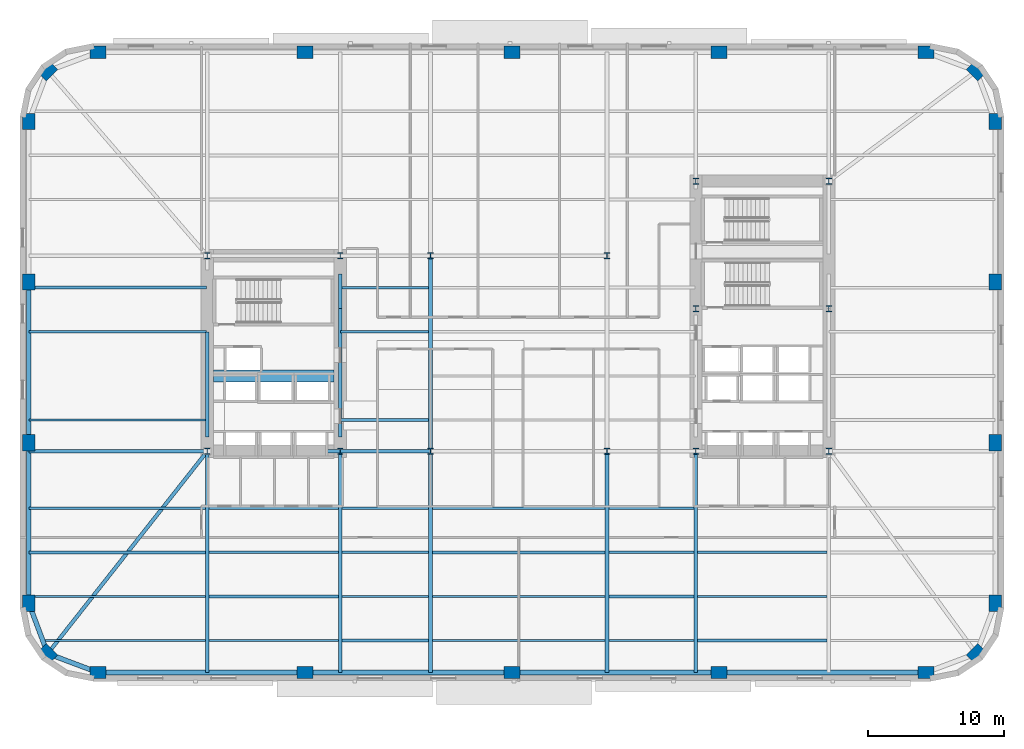
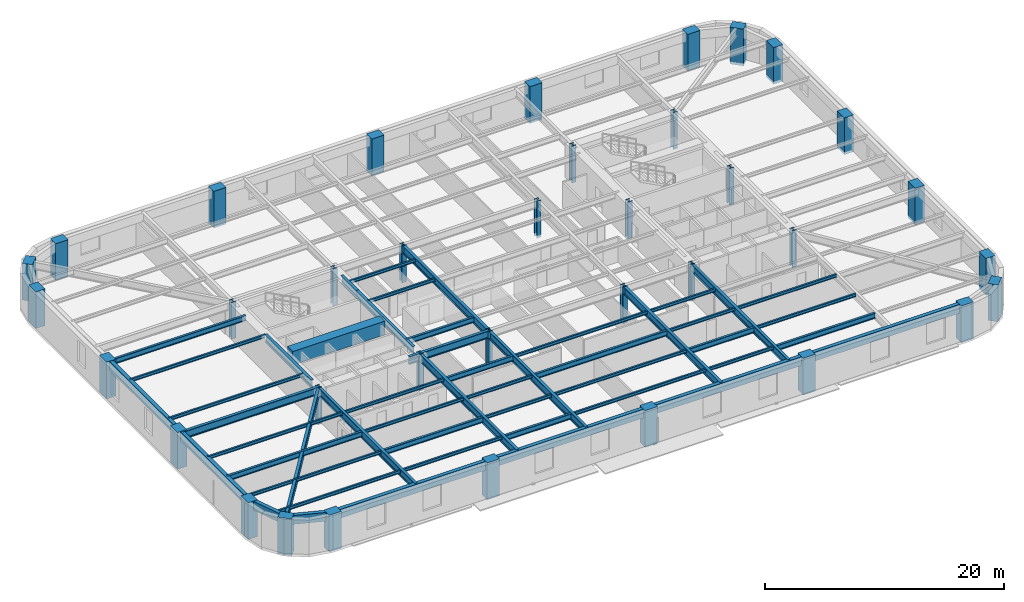
# One storey, part 1 of 14: 50 beams, 36 columns.
"""IFC4 building model written with IfcOpenShell, lengths in metres."""

from ifc_helpers import new_model, si_unit, direction, frame, origin, origin_2d, place, context, subcontext, project, spatial, rectangle, hollow_rectangle, i_section, extrude, material, material_profile, profile_set, type_object, element, save


model = new_model("IFC4")

# Units and contexts
model_context = context("Model", 3, precision=1e-05, world=origin(), true_north=direction((0.0, 1.0)))
body_context = subcontext(model_context, "Body", "Model", "MODEL_VIEW")
ifc_project = project(units=[si_unit("LENGTHUNIT", "METRE"), si_unit("AREAUNIT", "SQUARE_METRE"), si_unit("VOLUMEUNIT", "CUBIC_METRE"), si_unit("PLANEANGLEUNIT", "RADIAN"), si_unit("MASSUNIT", "GRAM", prefix="KILO")], contexts=[model_context])

# Site, building, storey
site_placement = place(None, origin())
site = spatial("IfcSite", under=ifc_project, at=site_placement, CompositionType="ELEMENT")
building_placement = place(site_placement, origin())
building = spatial("IfcBuilding", under=site, at=building_placement, Name="Kolvaren Arena Tower", CompositionType="ELEMENT")
storey_placement = place(building_placement, frame((0.0, 0.0, 87.0)))
storey = spatial("IfcBuildingStorey", under=building, at=storey_placement, Name="L19", CompositionType="ELEMENT", Elevation=87.0)

# Columns
ifc_material_1 = material(Name="Precast concrete C70/85", Category="concrete")
ifc_material_profile_1 = material_profile(ifc_material_1, rectangle(XDim=1.199951171875, YDim=0.89990234375, at=origin_2d()), Name="RC-1200x900")
ifc_profile_set_1 = profile_set([ifc_material_profile_1], Name="Precast concrete C70/85")
column_type_1 = type_object("IfcColumnType", Name="EXCOL-Z1", PredefinedType="COLUMN", material=ifc_profile_set_1)
for number, where, z_axis, x_axis, name in (
    (1, (6.5, 3.14990234375, -0.27001953125), (0.0, 0.0, 1.0), (1.0, 0.0, 0.0), "Exoskeleton Perimeter Column 01 (L19)"),
    (2, (21.75, 3.14990234375, -0.27001953125), (0.0, 0.0, 1.0), (1.0, 0.0, 0.0), "Exoskeleton Perimeter Column 02 (L19)"),
    (3, (37.0, 3.14990234375, -0.27001953125), (0.0, 0.0, 1.0), (1.0, 0.0, 0.0), "Exoskeleton Perimeter Column 03 (L19)"),
    (4, (52.25, 3.14990234375, -0.27001953125), (0.0, 0.0, 1.0), (1.0, 0.0, 0.0), "Exoskeleton Perimeter Column 04 (L19)"),
    (5, (67.5, 3.14990234375, -0.27001953125), (0.0, 0.0, 1.0), (1.0, 0.0, 0.0), "Exoskeleton Perimeter Column 05 (L19)"),
    (6, (71.208740234375, 4.541259765625, -0.27001953125), (0.0, 0.0, 1.0), (0.707106781187, 0.707106781187, 0.0), "Exoskeleton Perimeter Column 06 (L19)"),
    (7, (72.60009765625, 8.25, -0.27001953125), (0.0, 0.0, 1.0), (0.0, 1.0, 0.0), "Exoskeleton Perimeter Column 07 (L19)"),
    (8, (72.60009765625, 20.083251953125, -0.27001953125), (0.0, 0.0, 1.0), (0.0, 1.0, 0.0), "Exoskeleton Perimeter Column 08 (L19)"),
    (9, (72.60009765625, 31.916748046875, -0.27001953125), (0.0, 0.0, 1.0), (0.0, 1.0, 0.0), "Exoskeleton Perimeter Column 09 (L19)"),
    (10, (72.60009765625, 43.75, -0.27001953125), (0.0, 0.0, 1.0), (0.0, 1.0, 0.0), "Exoskeleton Perimeter Column 10 (L19)"),
    (11, (71.208740234375, 47.458740234375, -0.27001953125), (0.0, 0.0, 1.0), (-0.707106781187, 0.707106781187, 0.0), "Exoskeleton Perimeter Column 11 (L19)"),
    (12, (67.5, 48.85009765625, -0.27001953125), (0.0, 0.0, 1.0), (1.0, 0.0, 0.0), "Exoskeleton Perimeter Column 12 (L19)"),
    (13, (52.25, 48.85009765625, -0.27001953125), (0.0, 0.0, 1.0), (1.0, 0.0, 0.0), "Exoskeleton Perimeter Column 13 (L19)"),
    (14, (37.0, 48.85009765625, -0.27001953125), (0.0, 0.0, 1.0), (1.0, 0.0, 0.0), "Exoskeleton Perimeter Column 14 (L19)"),
    (15, (21.75, 48.85009765625, -0.27001953125), (0.0, 0.0, 1.0), (1.0, 0.0, 0.0), "Exoskeleton Perimeter Column 15 (L19)"),
    (16, (6.5, 48.85009765625, -0.27001953125), (0.0, 0.0, 1.0), (1.0, 0.0, 0.0), "Exoskeleton Perimeter Column 16 (L19)"),
    (17, (2.791259765625, 47.458740234375, -0.27001953125), (0.0, 0.0, 1.0), (0.707106781187, 0.707106781187, 0.0), "Exoskeleton Perimeter Column 17 (L19)"),
    (18, (1.39990234375, 43.75, -0.27001953125), (0.0, 0.0, 1.0), (0.0, 1.0, 0.0), "Exoskeleton Perimeter Column 18 (L19)"),
    (19, (1.39990234375, 31.916748046875, -0.27001953125), (0.0, 0.0, 1.0), (0.0, 1.0, 0.0), "Exoskeleton Perimeter Column 19 (L19)"),
    (20, (1.39990234375, 20.083251953125, -0.27001953125), (0.0, 0.0, 1.0), (0.0, 1.0, 0.0), "Exoskeleton Perimeter Column 20 (L19)"),
    (21, (1.39990234375, 8.25, -0.27001953125), (0.0, 0.0, 1.0), (0.0, 1.0, 0.0), "Exoskeleton Perimeter Column 21 (L19)"),
    (22, (2.791259765625, 4.541259765625, -0.27001953125), (0.0, 0.0, 1.0), (-0.707106781187, 0.707106781187, 0.0), "Exoskeleton Perimeter Column 22 (L19)"),
):
    element("IfcColumn", number, at=place(storey_placement, frame(where, z_axis=z_axis, x_axis=x_axis)), inside=storey, type_object=column_type_1, Name=name, PredefinedType="COLUMN", context=body_context, shape_type="SweptSolid", body=[
        extrude(rectangle(XDim=1.199951171875, YDim=0.89990234375, at=origin_2d()), origin(), (0.0, 0.0, 1.0), 3.75),
    ])
ifc_material_2 = material(Name="Steel ASTM A913 Grade 65", Category="steel")
ifc_material_profile_2 = material_profile(ifc_material_2, i_section(OverallWidth=0.424072265625, OverallDepth=0.47412109375, WebThickness=0.047607421875, FlangeThickness=0.076904296875, FilletRadius=0.02001953125, at=origin_2d()), Name="W360x634")
ifc_profile_set_2 = profile_set([ifc_material_profile_2], Name="Steel ASTM A913 Grade 65")
column_type_2 = type_object("IfcColumnType", Name="SCOL-Z1", PredefinedType="COLUMN", material=ifc_profile_set_2)
for number, where, z_axis, x_axis, name in (
    (23, (14.550048828125, 19.449951171875, -0.27001953125), (0.0, 0.0, 1.0), (1.0, 0.0, 0.0), "Core Boundary Column WC-SW (L19)"),
    (24, (24.35009765625, 19.449951171875, -0.27001953125), (0.0, 0.0, 1.0), (1.0, 0.0, 0.0), "Core Boundary Column WC-SE (L19)"),
    (25, (14.550048828125, 33.85009765625, -0.27001953125), (0.0, 0.0, 1.0), (1.0, 0.0, 0.0), "Core Boundary Column WC-NW (L19)"),
    (26, (24.35009765625, 33.85009765625, -0.27001953125), (0.0, 0.0, 1.0), (1.0, 0.0, 0.0), "Core Boundary Column WC-NE (L19)"),
    (27, (50.550048828125, 19.449951171875, -0.27001953125), (0.0, 0.0, 1.0), (1.0, 0.0, 0.0), "Core Boundary Column EC-SW (L19)"),
    (28, (60.35009765625, 19.449951171875, -0.27001953125), (0.0, 0.0, 1.0), (1.0, 0.0, 0.0), "Core Boundary Column EC-SE (L19)"),
    (29, (50.550048828125, 29.949951171875, -0.27001953125), (0.0, 0.0, 1.0), (1.0, 0.0, 0.0), "Core Boundary Column EC-MW (L19)"),
    (30, (60.35009765625, 29.949951171875, -0.27001953125), (0.0, 0.0, 1.0), (1.0, 0.0, 0.0), "Core Boundary Column EC-ME (L19)"),
    (31, (50.550048828125, 39.35009765625, -0.27001953125), (0.0, 0.0, 1.0), (1.0, 0.0, 0.0), "Core Boundary Column EC-NW (L19)"),
    (32, (60.35009765625, 39.35009765625, -0.27001953125), (0.0, 0.0, 1.0), (1.0, 0.0, 0.0), "Core Boundary Column EC-NE (L19)"),
    (33, (31.0, 19.449951171875, -0.27001953125), (0.0, 0.0, 1.0), (1.0, 0.0, 0.0), "Interior Gravity Column TC-SW (L19)"),
    (34, (44.0, 19.449951171875, -0.27001953125), (0.0, 0.0, 1.0), (1.0, 0.0, 0.0), "Interior Gravity Column TC-SE (L19)"),
    (35, (31.0, 33.85009765625, -0.27001953125), (0.0, 0.0, 1.0), (1.0, 0.0, 0.0), "Interior Gravity Column TC-NW (L19)"),
    (36, (44.0, 33.85009765625, -0.27001953125), (0.0, 0.0, 1.0), (1.0, 0.0, 0.0), "Interior Gravity Column TC-NE (L19)"),
):
    element("IfcColumn", number, at=place(storey_placement, frame(where, z_axis=z_axis, x_axis=x_axis)), inside=storey, type_object=column_type_2, Name=name, PredefinedType="COLUMN", context=body_context, shape_type="SweptSolid", body=[
        extrude(i_section(OverallWidth=0.424072265625, OverallDepth=0.47412109375, WebThickness=0.047607421875, FlangeThickness=0.076904296875, FilletRadius=0.02001953125, at=origin_2d()), origin(), (0.0, 0.0, 1.0), 3.75),
    ])

# Beams
ifc_material_3 = material(Name="Steel CSA G40.21 350W", Category="steel")
ifc_material_profile_3 = material_profile(ifc_material_3, i_section(OverallWidth=0.2119140625, OverallDepth=0.54296875, WebThickness=0.01318359375, FlangeThickness=0.0244140625, FilletRadius=0.013916015625, at=origin_2d()), Name="W530x150")
ifc_profile_set_3 = profile_set([ifc_material_profile_3], Name="Steel CSA G40.21 350W")
beam_type_1 = type_object("IfcBeamType", Name="BEAM-F1", PredefinedType="BEAM", material=ifc_profile_set_3)
beam_1_placement = place(storey_placement, frame((24.485107421875, 5.5, 3.20849609375), z_axis=(1.0, 0.0, 0.0), x_axis=(0.0, 1.0, 0.0)))
element("IfcBeam", 37, at=beam_1_placement, inside=storey, type_object=beam_type_1, Name="Composite Floor Beam (L19)", PredefinedType="BEAM", context=body_context, shape_type="SweptSolid", body=[
    extrude(i_section(OverallWidth=0.2119140625, OverallDepth=0.54296875, WebThickness=0.01318359375, FlangeThickness=0.0244140625, FilletRadius=0.013916015625, at=origin_2d()), origin(), (0.0, 0.0, 1.0), 6.3798828125),
])
for number, where, z_axis, x_axis, name in (
    (38, (50.68505859375, 5.5, 3.20849609375), (1.0, 0.0, 0.0), (0.0, 1.0, 0.0), "Composite Floor Beam (L19)"),
    (39, (14.68505859375, 8.75, 3.20849609375), (1.0, 0.0, 0.0), (0.0, 1.0, 0.0), "Composite Floor Beam (L19)"),
):
    element("IfcBeam", number, at=place(storey_placement, frame(where, z_axis=z_axis, x_axis=x_axis)), inside=storey, type_object=beam_type_1, Name=name, PredefinedType="BEAM", context=body_context, shape_type="SweptSolid", body=[
        extrude(i_section(OverallWidth=0.2119140625, OverallDepth=0.54296875, WebThickness=0.01318359375, FlangeThickness=0.0244140625, FilletRadius=0.013916015625, at=origin_2d()), origin(), (0.0, 0.0, 1.0), 9.530029296875),
    ])
beam_2_placement = place(storey_placement, frame((44.135009765625, 8.75, 3.20849609375), z_axis=(1.0, 0.0, 0.0), x_axis=(0.0, 1.0, 0.0)))
element("IfcBeam", 40, at=beam_2_placement, inside=storey, type_object=beam_type_1, Name="Composite Floor Beam (L19)", PredefinedType="BEAM", context=body_context, shape_type="SweptSolid", body=[
    extrude(i_section(OverallWidth=0.2119140625, OverallDepth=0.54296875, WebThickness=0.01318359375, FlangeThickness=0.0244140625, FilletRadius=0.013916015625, at=origin_2d()), origin(), (0.0, 0.0, 1.0), 6.280029296875),
])
beam_3_placement = place(storey_placement, frame((1.39990234375, 12.0, 3.20849609375), z_axis=(1.0, 0.0, 0.0), x_axis=(0.0, 1.0, 0.0)))
element("IfcBeam", 41, at=beam_3_placement, inside=storey, type_object=beam_type_1, Name="Composite Floor Beam (L19)", PredefinedType="BEAM", context=body_context, shape_type="SweptSolid", body=[
    extrude(i_section(OverallWidth=0.2119140625, OverallDepth=0.54296875, WebThickness=0.01318359375, FlangeThickness=0.0244140625, FilletRadius=0.013916015625, at=origin_2d()), origin(), (0.0, 0.0, 1.0), 13.01513671875),
])
beam_4_placement = place(storey_placement, frame((31.135009765625, 12.0, 3.20849609375), z_axis=(1.0, 0.0, 0.0), x_axis=(0.0, 1.0, 0.0)))
element("IfcBeam", 42, at=beam_4_placement, inside=storey, type_object=beam_type_1, Name="Composite Floor Beam (L19)", PredefinedType="BEAM", context=body_context, shape_type="SweptSolid", body=[
    extrude(i_section(OverallWidth=0.2119140625, OverallDepth=0.54296875, WebThickness=0.01318359375, FlangeThickness=0.0244140625, FilletRadius=0.013916015625, at=origin_2d()), origin(), (0.0, 0.0, 1.0), 12.72998046875),
])
beam_5_placement = place(storey_placement, frame((24.485107421875, 15.25, 3.20849609375), z_axis=(1.0, 0.0, 0.0), x_axis=(0.0, 1.0, 0.0)))
element("IfcBeam", 43, at=beam_5_placement, inside=storey, type_object=beam_type_1, Name="Composite Floor Beam (L19)", PredefinedType="BEAM", context=body_context, shape_type="SweptSolid", body=[
    extrude(i_section(OverallWidth=0.2119140625, OverallDepth=0.54296875, WebThickness=0.01318359375, FlangeThickness=0.0244140625, FilletRadius=0.013916015625, at=origin_2d()), origin(), (0.0, 0.0, 1.0), 6.3798828125),
])
beam_6_placement = place(storey_placement, frame((24.3701171875, 21.75, 3.20849609375), z_axis=(1.0, 0.0, 0.0), x_axis=(0.0, 1.0, 0.0)))
element("IfcBeam", 44, at=beam_6_placement, inside=storey, type_object=beam_type_1, Name="Composite Floor Beam (L19)", PredefinedType="BEAM", context=body_context, shape_type="SweptSolid", body=[
    extrude(i_section(OverallWidth=0.2119140625, OverallDepth=0.54296875, WebThickness=0.01318359375, FlangeThickness=0.0244140625, FilletRadius=0.013916015625, at=origin_2d()), origin(), (0.0, 0.0, 1.0), 6.494873046875),
])
beam_7_placement = place(storey_placement, frame((1.39990234375, 31.5, 3.20849609375), z_axis=(1.0, 0.0, 0.0), x_axis=(0.0, 1.0, 0.0)))
element("IfcBeam", 45, at=beam_7_placement, inside=storey, type_object=beam_type_1, Name="Composite Floor Beam (L19)", PredefinedType="BEAM", context=body_context, shape_type="SweptSolid", body=[
    extrude(i_section(OverallWidth=0.2119140625, OverallDepth=0.54296875, WebThickness=0.01318359375, FlangeThickness=0.0244140625, FilletRadius=0.013916015625, at=origin_2d()), origin(), (0.0, 0.0, 1.0), 13.080078125),
])
ifc_material_4 = material(Name="Concrete 75 MPa", Category="concrete")
ifc_material_profile_4 = material_profile(ifc_material_4, rectangle(XDim=0.89990234375, YDim=1.39990234375, at=origin_2d()), Name="RC-900x1400")
ifc_profile_set_4 = profile_set([ifc_material_profile_4], Name="Concrete 75 MPa")
beam_type_2 = type_object("IfcBeamType", Name="CB-CORE-1", PredefinedType="BEAM", material=ifc_profile_set_4)
beam_8_placement = place(storey_placement, frame((15.0, 25.0, 3.050048828125), z_axis=(1.0, 0.0, 0.0), x_axis=(0.0, 1.0, 0.0)))
element("IfcBeam", 46, at=beam_8_placement, inside=storey, type_object=beam_type_2, Name="West Core Coupling Beam (L19)", PredefinedType="BEAM", context=body_context, shape_type="SweptSolid", body=[
    extrude(rectangle(XDim=0.89990234375, YDim=1.39990234375, at=origin_2d()), origin(), (0.0, 0.0, 1.0), 8.89990234375),
])
ifc_material_profile_5 = material_profile(ifc_material_3, i_section(OverallWidth=0.27001953125, OverallDepth=0.77294921875, WebThickness=0.019287109375, FlangeThickness=0.033447265625, FilletRadius=0.01806640625, at=origin_2d()), Name="W760x257")
ifc_profile_set_5 = profile_set([ifc_material_profile_5], Name="Steel CSA G40.21 350W")
beam_type_3 = type_object("IfcBeamType", Name="GIRD-T1", PredefinedType="BEAM", material=ifc_profile_set_5)
beam_9_placement = place(storey_placement, frame((2.791259765625, 4.541259765625, 3.093505859375), z_axis=(0.61927986086, 0.785170334343, 0.0), x_axis=(-0.785170334343, 0.61927986086, 0.0)))
element("IfcBeam", 47, at=beam_9_placement, inside=storey, type_object=beam_type_3, Name="Corner Diagonal Tie Girder (L19)", PredefinedType="BEAM", context=body_context, shape_type="SweptSolid", body=[
    extrude(i_section(OverallWidth=0.27001953125, OverallDepth=0.77294921875, WebThickness=0.019287109375, FlangeThickness=0.033447265625, FilletRadius=0.01806640625, at=origin_2d()), origin(), (0.0, 0.0, 1.0), 18.98779296875),
])
beam_10_placement = place(storey_placement, frame((1.39990234375, 19.449951171875, 3.093505859375), z_axis=(1.0, 0.0, 0.0), x_axis=(0.0, 1.0, 0.0)))
element("IfcBeam", 48, at=beam_10_placement, inside=storey, type_object=beam_type_3, Name="Primary Floor Girder (L19)", PredefinedType="BEAM", context=body_context, shape_type="SweptSolid", body=[
    extrude(i_section(OverallWidth=0.27001953125, OverallDepth=0.77294921875, WebThickness=0.019287109375, FlangeThickness=0.033447265625, FilletRadius=0.01806640625, at=origin_2d()), origin(), (0.0, 0.0, 1.0), 13.150146484375),
])
beam_11_placement = place(storey_placement, frame((23.2451171875, 19.449951171875, 3.093505859375), z_axis=(1.0, 0.0, 0.0), x_axis=(0.0, 1.0, 0.0)))
element("IfcBeam", 49, at=beam_11_placement, inside=storey, type_object=beam_type_3, Name="Primary Floor Girder (L19)", PredefinedType="BEAM", context=body_context, shape_type="SweptSolid", body=[
    extrude(i_section(OverallWidth=0.27001953125, OverallDepth=0.77294921875, WebThickness=0.019287109375, FlangeThickness=0.033447265625, FilletRadius=0.01806640625, at=origin_2d()), origin(), (0.0, 0.0, 1.0), 7.7548828125),
])
beam_12_placement = place(storey_placement, frame((14.550048828125, 3.14990234375, 3.093505859375), z_axis=(0.0, 1.0, 0.0), x_axis=(-1.0, 0.0, 0.0)))
element("IfcBeam", 50, at=beam_12_placement, inside=storey, type_object=beam_type_3, Name="Primary Floor Girder (L19)", PredefinedType="BEAM", context=body_context, shape_type="SweptSolid", body=[
    extrude(i_section(OverallWidth=0.27001953125, OverallDepth=0.77294921875, WebThickness=0.019287109375, FlangeThickness=0.033447265625, FilletRadius=0.01806640625, at=origin_2d()), origin(), (0.0, 0.0, 1.0), 16.300048828125),
])
beam_13_placement = place(storey_placement, frame((14.550048828125, 20.5, 3.093505859375), z_axis=(0.0, 1.0, 0.0), x_axis=(-1.0, 0.0, 0.0)))
element("IfcBeam", 51, at=beam_13_placement, inside=storey, type_object=beam_type_3, Name="Primary Floor Girder (L19)", PredefinedType="BEAM", context=body_context, shape_type="SweptSolid", body=[
    extrude(i_section(OverallWidth=0.27001953125, OverallDepth=0.77294921875, WebThickness=0.019287109375, FlangeThickness=0.033447265625, FilletRadius=0.01806640625, at=origin_2d()), origin(), (0.0, 0.0, 1.0), 7.739990234375),
])
beam_14_placement = place(storey_placement, frame((24.35009765625, 3.14990234375, 3.093505859375), z_axis=(0.0, 1.0, 0.0), x_axis=(-1.0, 0.0, 0.0)))
element("IfcBeam", 52, at=beam_14_placement, inside=storey, type_object=beam_type_3, Name="Primary Floor Girder (L19)", PredefinedType="BEAM", context=body_context, shape_type="SweptSolid", body=[
    extrude(i_section(OverallWidth=0.27001953125, OverallDepth=0.77294921875, WebThickness=0.019287109375, FlangeThickness=0.033447265625, FilletRadius=0.01806640625, at=origin_2d()), origin(), (0.0, 0.0, 1.0), 16.300048828125),
])
beam_15_placement = place(storey_placement, frame((24.35009765625, 20.5, 3.093505859375), z_axis=(0.0, 1.0, 0.0), x_axis=(-1.0, 0.0, 0.0)))
element("IfcBeam", 53, at=beam_15_placement, inside=storey, type_object=beam_type_3, Name="Primary Floor Girder (L19)", PredefinedType="BEAM", context=body_context, shape_type="SweptSolid", body=[
    extrude(i_section(OverallWidth=0.27001953125, OverallDepth=0.77294921875, WebThickness=0.019287109375, FlangeThickness=0.033447265625, FilletRadius=0.01806640625, at=origin_2d()), origin(), (0.0, 0.0, 1.0), 9.449951171875),
])
beam_16_placement = place(storey_placement, frame((24.35009765625, 29.949951171875, 3.093505859375), z_axis=(0.0, 1.0, 0.0), x_axis=(-1.0, 0.0, 0.0)))
element("IfcBeam", 54, at=beam_16_placement, inside=storey, type_object=beam_type_3, Name="Primary Floor Girder (L19)", PredefinedType="BEAM", context=body_context, shape_type="SweptSolid", body=[
    extrude(i_section(OverallWidth=0.27001953125, OverallDepth=0.77294921875, WebThickness=0.019287109375, FlangeThickness=0.033447265625, FilletRadius=0.01806640625, at=origin_2d()), origin(), (0.0, 0.0, 1.0), 2.550048828125),
])
beam_17_placement = place(storey_placement, frame((31.0, 3.14990234375, 3.093505859375), z_axis=(0.0, 1.0, 0.0), x_axis=(-1.0, 0.0, 0.0)))
element("IfcBeam", 55, at=beam_17_placement, inside=storey, type_object=beam_type_3, Name="Primary Floor Girder (L19)", PredefinedType="BEAM", context=body_context, shape_type="SweptSolid", body=[
    extrude(i_section(OverallWidth=0.27001953125, OverallDepth=0.77294921875, WebThickness=0.019287109375, FlangeThickness=0.033447265625, FilletRadius=0.01806640625, at=origin_2d()), origin(), (0.0, 0.0, 1.0), 16.300048828125),
])
beam_18_placement = place(storey_placement, frame((31.0, 19.449951171875, 3.093505859375), z_axis=(0.0, 1.0, 0.0), x_axis=(-1.0, 0.0, 0.0)))
element("IfcBeam", 56, at=beam_18_placement, inside=storey, type_object=beam_type_3, Name="Primary Floor Girder (L19)", PredefinedType="BEAM", context=body_context, shape_type="SweptSolid", body=[
    extrude(i_section(OverallWidth=0.27001953125, OverallDepth=0.77294921875, WebThickness=0.019287109375, FlangeThickness=0.033447265625, FilletRadius=0.01806640625, at=origin_2d()), origin(), (0.0, 0.0, 1.0), 14.400146484375),
])
for number, where, z_axis, x_axis, name in (
    (57, (44.0, 3.14990234375, 3.093505859375), (0.0, 1.0, 0.0), (-1.0, 0.0, 0.0), "Primary Floor Girder (L19)"),
    (58, (50.550048828125, 3.14990234375, 3.093505859375), (0.0, 1.0, 0.0), (-1.0, 0.0, 0.0), "Primary Floor Girder (L19)"),
):
    element("IfcBeam", number, at=place(storey_placement, frame(where, z_axis=z_axis, x_axis=x_axis)), inside=storey, type_object=beam_type_3, Name=name, PredefinedType="BEAM", context=body_context, shape_type="SweptSolid", body=[
        extrude(i_section(OverallWidth=0.27001953125, OverallDepth=0.77294921875, WebThickness=0.019287109375, FlangeThickness=0.033447265625, FilletRadius=0.01806640625, at=origin_2d()), origin(), (0.0, 0.0, 1.0), 16.300048828125),
    ])
ifc_material_profile_6 = material_profile(ifc_material_3, i_section(OverallWidth=0.1669921875, OverallDepth=0.31689453125, WebThickness=0.007568359375, FlangeThickness=0.01318359375, FilletRadius=0.010009765625, at=origin_2d()), Name="W310x52")
ifc_profile_set_6 = profile_set([ifc_material_profile_6], Name="Steel CSA G40.21 350W")
beam_type_4 = type_object("IfcBeamType", Name="JOIST-02", PredefinedType="JOIST", material=ifc_profile_set_6)
beam_19_placement = place(storey_placement, frame((2.431396484375, 5.5, 3.321533203125), z_axis=(1.0, 0.0, 0.0), x_axis=(0.0, 1.0, 0.0)))
element("IfcBeam", 59, at=beam_19_placement, inside=storey, type_object=beam_type_4, Name="Composite Floor Joist (L19)", PredefinedType="JOIST", context=body_context, shape_type="SweptSolid", body=[
    extrude(i_section(OverallWidth=0.1669921875, OverallDepth=0.31689453125, WebThickness=0.007568359375, FlangeThickness=0.01318359375, FilletRadius=0.010009765625, at=origin_2d()), origin(), (0.0, 0.0, 1.0), 11.983642578125),
])
beam_20_placement = place(storey_placement, frame((14.68505859375, 5.5, 3.321533203125), z_axis=(1.0, 0.0, 0.0), x_axis=(0.0, 1.0, 0.0)))
element("IfcBeam", 60, at=beam_20_placement, inside=storey, type_object=beam_type_4, Name="Composite Floor Joist (L19)", PredefinedType="JOIST", context=body_context, shape_type="SweptSolid", body=[
    extrude(i_section(OverallWidth=0.1669921875, OverallDepth=0.31689453125, WebThickness=0.007568359375, FlangeThickness=0.01318359375, FilletRadius=0.010009765625, at=origin_2d()), origin(), (0.0, 0.0, 1.0), 9.530029296875),
])
beam_21_placement = place(storey_placement, frame((31.135009765625, 5.5, 3.321533203125), z_axis=(1.0, 0.0, 0.0), x_axis=(0.0, 1.0, 0.0)))
element("IfcBeam", 61, at=beam_21_placement, inside=storey, type_object=beam_type_4, Name="Composite Floor Joist (L19)", PredefinedType="JOIST", context=body_context, shape_type="SweptSolid", body=[
    extrude(i_section(OverallWidth=0.1669921875, OverallDepth=0.31689453125, WebThickness=0.007568359375, FlangeThickness=0.01318359375, FilletRadius=0.010009765625, at=origin_2d()), origin(), (0.0, 0.0, 1.0), 12.72998046875),
])
beam_22_placement = place(storey_placement, frame((44.135009765625, 5.5, 3.321533203125), z_axis=(1.0, 0.0, 0.0), x_axis=(0.0, 1.0, 0.0)))
element("IfcBeam", 62, at=beam_22_placement, inside=storey, type_object=beam_type_4, Name="Composite Floor Joist (L19)", PredefinedType="JOIST", context=body_context, shape_type="SweptSolid", body=[
    extrude(i_section(OverallWidth=0.1669921875, OverallDepth=0.31689453125, WebThickness=0.007568359375, FlangeThickness=0.01318359375, FilletRadius=0.010009765625, at=origin_2d()), origin(), (0.0, 0.0, 1.0), 6.280029296875),
])
beam_23_placement = place(storey_placement, frame((1.39990234375, 8.75, 3.321533203125), z_axis=(1.0, 0.0, 0.0), x_axis=(0.0, 1.0, 0.0)))
element("IfcBeam", 63, at=beam_23_placement, inside=storey, type_object=beam_type_4, Name="Composite Floor Joist (L19)", PredefinedType="JOIST", context=body_context, shape_type="SweptSolid", body=[
    extrude(i_section(OverallWidth=0.1669921875, OverallDepth=0.31689453125, WebThickness=0.007568359375, FlangeThickness=0.01318359375, FilletRadius=0.010009765625, at=origin_2d()), origin(), (0.0, 0.0, 1.0), 13.01513671875),
])
beam_24_placement = place(storey_placement, frame((24.485107421875, 8.75, 3.321533203125), z_axis=(1.0, 0.0, 0.0), x_axis=(0.0, 1.0, 0.0)))
element("IfcBeam", 64, at=beam_24_placement, inside=storey, type_object=beam_type_4, Name="Composite Floor Joist (L19)", PredefinedType="JOIST", context=body_context, shape_type="SweptSolid", body=[
    extrude(i_section(OverallWidth=0.1669921875, OverallDepth=0.31689453125, WebThickness=0.007568359375, FlangeThickness=0.01318359375, FilletRadius=0.010009765625, at=origin_2d()), origin(), (0.0, 0.0, 1.0), 6.3798828125),
])
beam_25_placement = place(storey_placement, frame((31.135009765625, 8.75, 3.321533203125), z_axis=(1.0, 0.0, 0.0), x_axis=(0.0, 1.0, 0.0)))
element("IfcBeam", 65, at=beam_25_placement, inside=storey, type_object=beam_type_4, Name="Composite Floor Joist (L19)", PredefinedType="JOIST", context=body_context, shape_type="SweptSolid", body=[
    extrude(i_section(OverallWidth=0.1669921875, OverallDepth=0.31689453125, WebThickness=0.007568359375, FlangeThickness=0.01318359375, FilletRadius=0.010009765625, at=origin_2d()), origin(), (0.0, 0.0, 1.0), 12.72998046875),
])
for number, where, z_axis, x_axis, name in (
    (66, (50.68505859375, 8.75, 3.321533203125), (1.0, 0.0, 0.0), (0.0, 1.0, 0.0), "Composite Floor Joist (L19)"),
    (67, (14.68505859375, 12.0, 3.321533203125), (1.0, 0.0, 0.0), (0.0, 1.0, 0.0), "Composite Floor Joist (L19)"),
):
    element("IfcBeam", number, at=place(storey_placement, frame(where, z_axis=z_axis, x_axis=x_axis)), inside=storey, type_object=beam_type_4, Name=name, PredefinedType="JOIST", context=body_context, shape_type="SweptSolid", body=[
        extrude(i_section(OverallWidth=0.1669921875, OverallDepth=0.31689453125, WebThickness=0.007568359375, FlangeThickness=0.01318359375, FilletRadius=0.010009765625, at=origin_2d()), origin(), (0.0, 0.0, 1.0), 9.530029296875),
    ])
beam_26_placement = place(storey_placement, frame((24.485107421875, 12.0, 3.321533203125), z_axis=(1.0, 0.0, 0.0), x_axis=(0.0, 1.0, 0.0)))
element("IfcBeam", 68, at=beam_26_placement, inside=storey, type_object=beam_type_4, Name="Composite Floor Joist (L19)", PredefinedType="JOIST", context=body_context, shape_type="SweptSolid", body=[
    extrude(i_section(OverallWidth=0.1669921875, OverallDepth=0.31689453125, WebThickness=0.007568359375, FlangeThickness=0.01318359375, FilletRadius=0.010009765625, at=origin_2d()), origin(), (0.0, 0.0, 1.0), 6.3798828125),
])
beam_27_placement = place(storey_placement, frame((44.135009765625, 12.0, 3.321533203125), z_axis=(1.0, 0.0, 0.0), x_axis=(0.0, 1.0, 0.0)))
element("IfcBeam", 69, at=beam_27_placement, inside=storey, type_object=beam_type_4, Name="Composite Floor Joist (L19)", PredefinedType="JOIST", context=body_context, shape_type="SweptSolid", body=[
    extrude(i_section(OverallWidth=0.1669921875, OverallDepth=0.31689453125, WebThickness=0.007568359375, FlangeThickness=0.01318359375, FilletRadius=0.010009765625, at=origin_2d()), origin(), (0.0, 0.0, 1.0), 6.280029296875),
])
beam_28_placement = place(storey_placement, frame((50.68505859375, 12.0, 3.321533203125), z_axis=(1.0, 0.0, 0.0), x_axis=(0.0, 1.0, 0.0)))
element("IfcBeam", 70, at=beam_28_placement, inside=storey, type_object=beam_type_4, Name="Composite Floor Joist (L19)", PredefinedType="JOIST", context=body_context, shape_type="SweptSolid", body=[
    extrude(i_section(OverallWidth=0.1669921875, OverallDepth=0.31689453125, WebThickness=0.007568359375, FlangeThickness=0.01318359375, FilletRadius=0.010009765625, at=origin_2d()), origin(), (0.0, 0.0, 1.0), 9.530029296875),
])
beam_29_placement = place(storey_placement, frame((1.39990234375, 15.25, 3.321533203125), z_axis=(1.0, 0.0, 0.0), x_axis=(0.0, 1.0, 0.0)))
element("IfcBeam", 71, at=beam_29_placement, inside=storey, type_object=beam_type_4, Name="Composite Floor Joist (L19)", PredefinedType="JOIST", context=body_context, shape_type="SweptSolid", body=[
    extrude(i_section(OverallWidth=0.1669921875, OverallDepth=0.31689453125, WebThickness=0.007568359375, FlangeThickness=0.01318359375, FilletRadius=0.010009765625, at=origin_2d()), origin(), (0.0, 0.0, 1.0), 13.01513671875),
])
beam_30_placement = place(storey_placement, frame((14.68505859375, 15.25, 3.321533203125), z_axis=(1.0, 0.0, 0.0), x_axis=(0.0, 1.0, 0.0)))
element("IfcBeam", 72, at=beam_30_placement, inside=storey, type_object=beam_type_4, Name="Composite Floor Joist (L19)", PredefinedType="JOIST", context=body_context, shape_type="SweptSolid", body=[
    extrude(i_section(OverallWidth=0.1669921875, OverallDepth=0.31689453125, WebThickness=0.007568359375, FlangeThickness=0.01318359375, FilletRadius=0.010009765625, at=origin_2d()), origin(), (0.0, 0.0, 1.0), 9.530029296875),
])
beam_31_placement = place(storey_placement, frame((31.135009765625, 15.25, 3.321533203125), z_axis=(1.0, 0.0, 0.0), x_axis=(0.0, 1.0, 0.0)))
element("IfcBeam", 73, at=beam_31_placement, inside=storey, type_object=beam_type_4, Name="Composite Floor Joist (L19)", PredefinedType="JOIST", context=body_context, shape_type="SweptSolid", body=[
    extrude(i_section(OverallWidth=0.1669921875, OverallDepth=0.31689453125, WebThickness=0.007568359375, FlangeThickness=0.01318359375, FilletRadius=0.010009765625, at=origin_2d()), origin(), (0.0, 0.0, 1.0), 12.72998046875),
])
beam_32_placement = place(storey_placement, frame((44.135009765625, 15.25, 3.321533203125), z_axis=(1.0, 0.0, 0.0), x_axis=(0.0, 1.0, 0.0)))
element("IfcBeam", 74, at=beam_32_placement, inside=storey, type_object=beam_type_4, Name="Composite Floor Joist (L19)", PredefinedType="JOIST", context=body_context, shape_type="SweptSolid", body=[
    extrude(i_section(OverallWidth=0.1669921875, OverallDepth=0.31689453125, WebThickness=0.007568359375, FlangeThickness=0.01318359375, FilletRadius=0.010009765625, at=origin_2d()), origin(), (0.0, 0.0, 1.0), 6.280029296875),
])
beam_33_placement = place(storey_placement, frame((1.39990234375, 21.75, 3.321533203125), z_axis=(1.0, 0.0, 0.0), x_axis=(0.0, 1.0, 0.0)))
element("IfcBeam", 75, at=beam_33_placement, inside=storey, type_object=beam_type_4, Name="Composite Floor Joist (L19)", PredefinedType="JOIST", context=body_context, shape_type="SweptSolid", body=[
    extrude(i_section(OverallWidth=0.1669921875, OverallDepth=0.31689453125, WebThickness=0.007568359375, FlangeThickness=0.01318359375, FilletRadius=0.010009765625, at=origin_2d()), origin(), (0.0, 0.0, 1.0), 13.130126953125),
])
beam_34_placement = place(storey_placement, frame((1.39990234375, 28.25, 3.321533203125), z_axis=(1.0, 0.0, 0.0), x_axis=(0.0, 1.0, 0.0)))
element("IfcBeam", 76, at=beam_34_placement, inside=storey, type_object=beam_type_4, Name="Composite Floor Joist (L19)", PredefinedType="JOIST", context=body_context, shape_type="SweptSolid", body=[
    extrude(i_section(OverallWidth=0.1669921875, OverallDepth=0.31689453125, WebThickness=0.007568359375, FlangeThickness=0.01318359375, FilletRadius=0.010009765625, at=origin_2d()), origin(), (0.0, 0.0, 1.0), 13.080078125),
])
for number, where, z_axis, x_axis, name in (
    (77, (24.3701171875, 28.25, 3.321533203125), (1.0, 0.0, 0.0), (0.0, 1.0, 0.0), "Composite Floor Joist (L19)"),
    (78, (24.3701171875, 31.5, 3.321533203125), (1.0, 0.0, 0.0), (0.0, 1.0, 0.0), "Composite Floor Joist (L19)"),
):
    element("IfcBeam", number, at=place(storey_placement, frame(where, z_axis=z_axis, x_axis=x_axis)), inside=storey, type_object=beam_type_4, Name=name, PredefinedType="JOIST", context=body_context, shape_type="SweptSolid", body=[
        extrude(i_section(OverallWidth=0.1669921875, OverallDepth=0.31689453125, WebThickness=0.007568359375, FlangeThickness=0.01318359375, FilletRadius=0.010009765625, at=origin_2d()), origin(), (0.0, 0.0, 1.0), 6.494873046875),
    ])
ifc_material_5 = material(Name="Steel CSA G40.21 350WT", Category="steel")
ifc_material_profile_7 = material_profile(ifc_material_5, hollow_rectangle(XDim=0.35009765625, YDim=0.89990234375, WallThickness=0.02001953125, at=origin_2d()), Name="HSS 900x350x20")
ifc_profile_set_7 = profile_set([ifc_material_profile_7], Name="Steel CSA G40.21 350WT")
beam_type_5 = type_object("IfcBeamType", Name="SPAND-01", PredefinedType="SPANDREL", material=ifc_profile_set_7)
for number, where, z_axis, x_axis, name in (
    (79, (6.5, 3.14990234375, 3.030029296875), (1.0, 0.0, 0.0), (0.0, 1.0, 0.0), "Perimeter Spandrel Beam (L19)"),
    (80, (21.75, 3.14990234375, 3.030029296875), (1.0, 0.0, 0.0), (0.0, 1.0, 0.0), "Perimeter Spandrel Beam (L19)"),
    (81, (37.0, 3.14990234375, 3.030029296875), (1.0, 0.0, 0.0), (0.0, 1.0, 0.0), "Perimeter Spandrel Beam (L19)"),
    (82, (52.25, 3.14990234375, 3.030029296875), (1.0, 0.0, 0.0), (0.0, 1.0, 0.0), "Perimeter Spandrel Beam (L19)"),
):
    element("IfcBeam", number, at=place(storey_placement, frame(where, z_axis=z_axis, x_axis=x_axis)), inside=storey, type_object=beam_type_5, Name=name, PredefinedType="SPANDREL", context=body_context, shape_type="SweptSolid", body=[
        extrude(hollow_rectangle(XDim=0.35009765625, YDim=0.89990234375, WallThickness=0.02001953125, at=origin_2d()), origin(), (0.0, 0.0, 1.0), 15.25),
    ])
beam_35_placement = place(storey_placement, frame((1.39990234375, 31.916748046875, 3.030029296875), z_axis=(0.0, -1.0, 0.0), x_axis=(1.0, 0.0, 0.0)))
element("IfcBeam", 83, at=beam_35_placement, inside=storey, type_object=beam_type_5, Name="Perimeter Spandrel Beam (L19)", PredefinedType="SPANDREL", context=body_context, shape_type="SweptSolid", body=[
    extrude(hollow_rectangle(XDim=0.35009765625, YDim=0.89990234375, WallThickness=0.02001953125, at=origin_2d()), origin(), (0.0, 0.0, 1.0), 11.83349609375),
])
beam_36_placement = place(storey_placement, frame((1.39990234375, 20.083251953125, 3.030029296875), z_axis=(0.0, -1.0, 0.0), x_axis=(1.0, 0.0, 0.0)))
element("IfcBeam", 84, at=beam_36_placement, inside=storey, type_object=beam_type_5, Name="Perimeter Spandrel Beam (L19)", PredefinedType="SPANDREL", context=body_context, shape_type="SweptSolid", body=[
    extrude(hollow_rectangle(XDim=0.35009765625, YDim=0.89990234375, WallThickness=0.02001953125, at=origin_2d()), origin(), (0.0, 0.0, 1.0), 11.833251953125),
])
for number, where, z_axis, x_axis, name in (
    (85, (1.39990234375, 8.25, 3.030029296875), (0.351251771955, -0.93628104365, 0.0), (0.93628104365, 0.351251771955, 0.0), "Perimeter Spandrel Beam (L19)"),
    (86, (2.791259765625, 4.541259765625, 3.030029296875), (0.93628104365, -0.351251771955, 0.0), (0.351251771955, 0.93628104365, 0.0), "Perimeter Spandrel Beam (L19)"),
):
    element("IfcBeam", number, at=place(storey_placement, frame(where, z_axis=z_axis, x_axis=x_axis)), inside=storey, type_object=beam_type_5, Name=name, PredefinedType="SPANDREL", context=body_context, shape_type="SweptSolid", body=[
        extrude(hollow_rectangle(XDim=0.35009765625, YDim=0.89990234375, WallThickness=0.02001953125, at=origin_2d()), origin(), (0.0, 0.0, 1.0), 3.961181640625),
    ])

save(model, "model.ifc")
